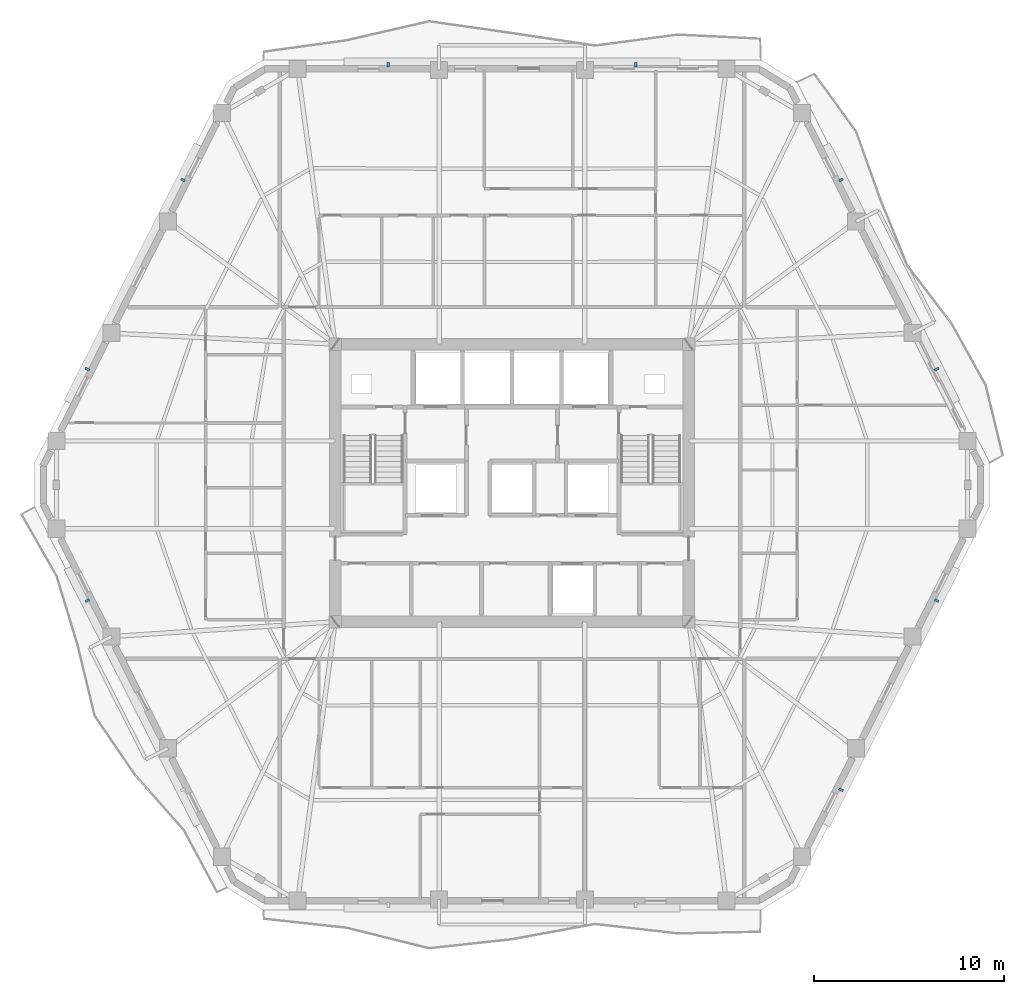
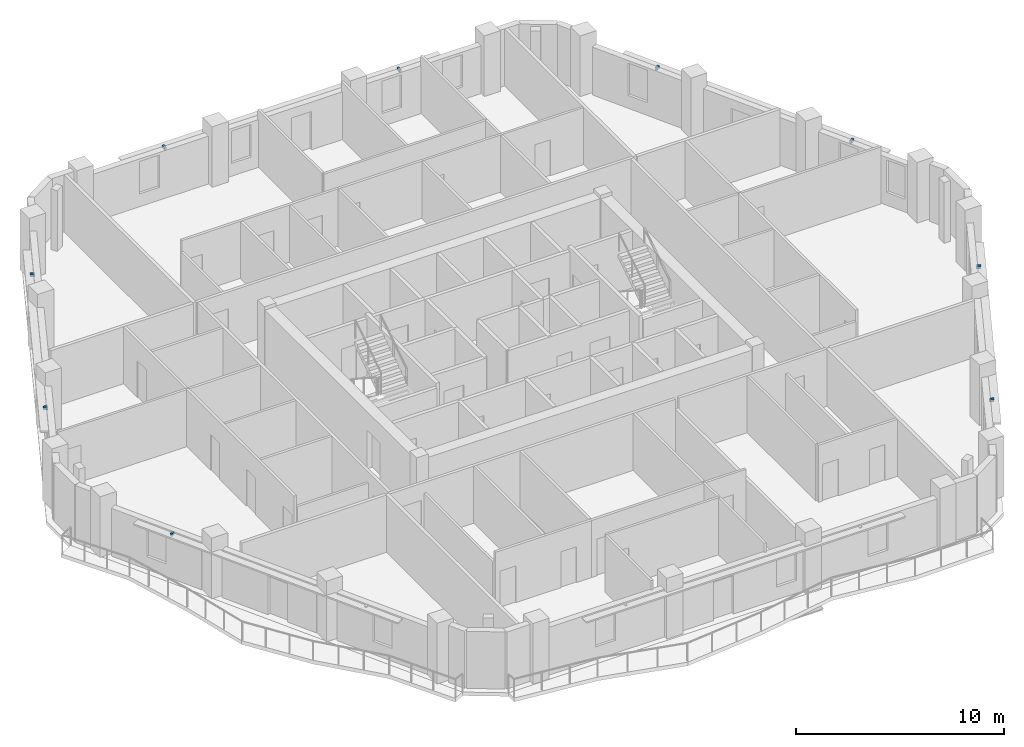
# One storey, part 9 of 12: 9 discrete accessories.
"""IFC4 building model written with IfcOpenShell, lengths in metres."""

from ifc_helpers import new_model, si_unit, direction, frame, origin, origin_2d, place, context, subcontext, project, spatial, rectangle, extrude, material, type_object, element, save


model = new_model("IFC4")

# Units and contexts
model_context = context("Model", 3, precision=1e-05, world=origin(), true_north=direction((0.0, 1.0)))
body_context = subcontext(model_context, "Body", "Model", "MODEL_VIEW")
ifc_project = project(units=[si_unit("LENGTHUNIT", "METRE"), si_unit("AREAUNIT", "SQUARE_METRE"), si_unit("VOLUMEUNIT", "CUBIC_METRE"), si_unit("PLANEANGLEUNIT", "RADIAN"), si_unit("MASSUNIT", "GRAM", prefix="KILO")], contexts=[model_context])

# Site, building, storey
site_placement = place(None, origin())
site = spatial("IfcSite", under=ifc_project, at=site_placement, CompositionType="ELEMENT")
building_placement = place(site_placement, origin())
building = spatial("IfcBuilding", under=site, at=building_placement, Name="Cinnabar Lancet Tower", CompositionType="ELEMENT")
storey_placement = place(building_placement, frame((0.0, 0.0, 153.5)))
storey = spatial("IfcBuildingStorey", under=building, at=storey_placement, Name="L40", CompositionType="ELEMENT", Elevation=153.5)

# Discrete accessories
ifc_material = material(Name="Stainless steel 316 facade fixing bracket", Category="steel")
discrete_accessory_type = type_object("IfcDiscreteAccessoryType", Name="ENV-ACC-BRK-180", PredefinedType="BRACKET", material=ifc_material)
for number, where, z_axis, x_axis, name in (
    (1, (49.698974609375, 9.77197265625, 2.60009765625), (0.0, 0.0, 1.0), (0.451453853408, 0.892294468347, 0.0), "L40 Face 2 Sunshade Bracket A"),
    (2, (54.72998046875, 19.717041015625, 2.60009765625), (0.0, 0.0, 1.0), (0.451453853408, 0.892294468347, 0.0), "L40 Face 2 Sunshade Bracket B"),
    (3, (54.72998046875, 31.883056640625, 2.60009765625), (0.0, 0.0, 1.0), (-0.451453853408, 0.892294468347, 0.0), "L40 Face 3 Sunshade Bracket A"),
    (4, (49.698974609375, 41.827880859375, 2.60009765625), (0.0, 0.0, 1.0), (-0.451453853408, 0.892294468347, 0.0), "L40 Face 3 Sunshade Bracket B"),
    (5, (38.90087890625, 47.889892578125, 2.60009765625), (0.0, 0.0, 1.0), (-1.0, 0.0, 0.0), "L40 Face 4 Sunshade Bracket A"),
    (6, (25.89892578125, 47.889892578125, 2.60009765625), (0.0, 0.0, 1.0), (-1.0, 0.0, 0.0), "L40 Face 4 Sunshade Bracket B"),
    (7, (15.10107421875, 41.827880859375, 2.60009765625), (0.0, 0.0, 1.0), (-0.451453853408, -0.892294468347, 0.0), "L40 Face 5 Sunshade Bracket A"),
    (8, (10.070068359375, 31.883056640625, 2.60009765625), (0.0, 0.0, 1.0), (-0.451453853408, -0.892294468347, 0.0), "L40 Face 5 Sunshade Bracket B"),
    (9, (10.070068359375, 19.717041015625, 2.60009765625), (0.0, 0.0, 1.0), (0.451453853408, -0.892294468347, 0.0), "L40 Face 6 Sunshade Bracket A"),
):
    element("IfcDiscreteAccessory", number, at=place(storey_placement, frame(where, z_axis=z_axis, x_axis=x_axis)), inside=storey, type_object=discrete_accessory_type, Name=name, PredefinedType="BRACKET", context=body_context, shape_type="SweptSolid", body=[
        extrude(rectangle(XDim=0.1201171875, YDim=0.239990234375, at=origin_2d()), origin(), (0.0, 0.0, 1.0), 0.159912109375),
    ])

save(model, "model.ifc")
